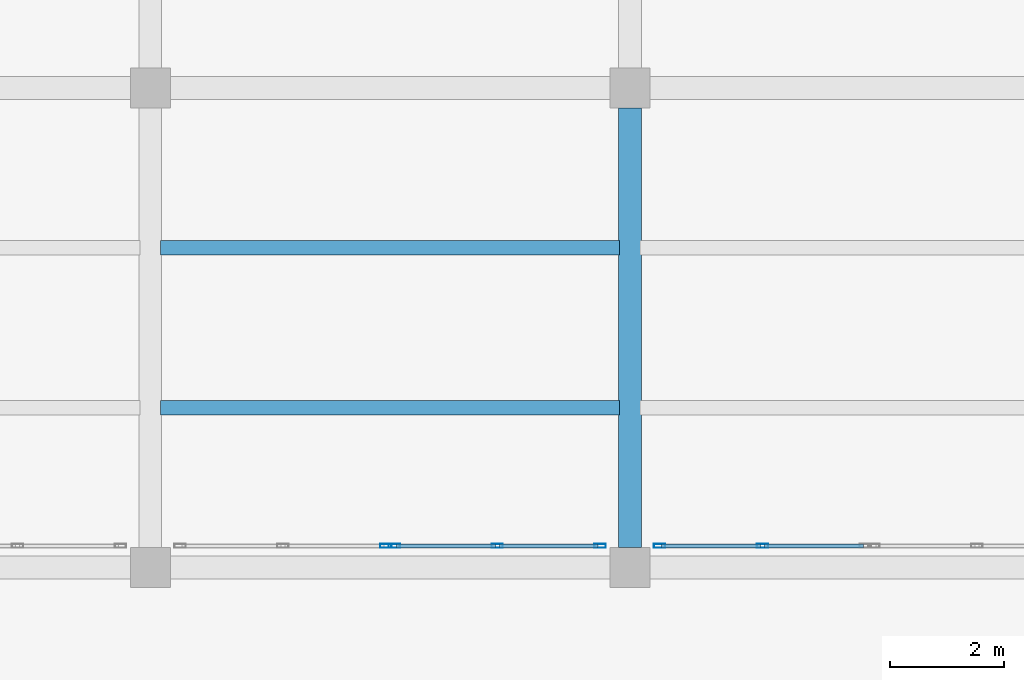
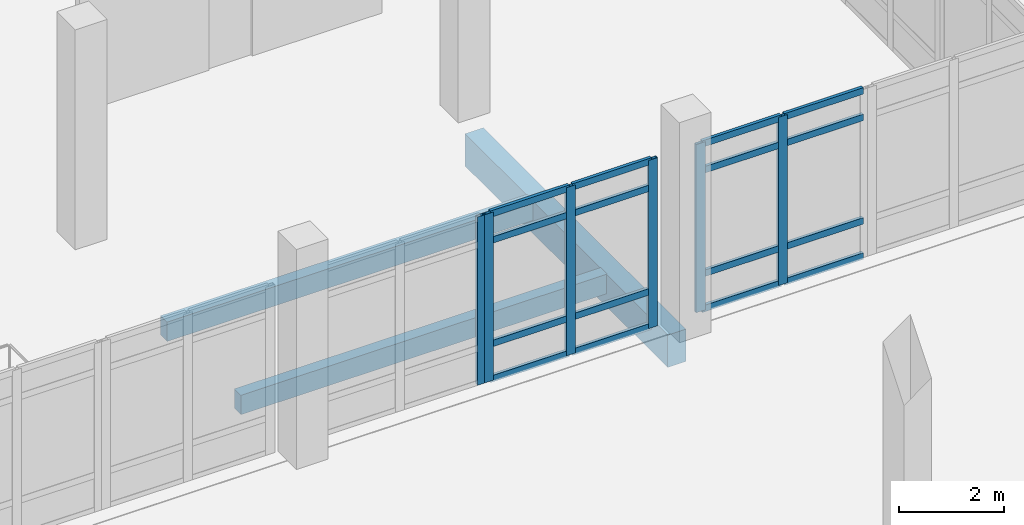
# One storey, part 9 of 64: 22 members, 3 beams, 3 elements without a shape of their own.
"""IFC4 building model written with IfcOpenShell, lengths in metres."""

from ifc_helpers import new_model, si_unit, derived_unit, direction, frame, origin, origin_2d, place, context, subcontext, project, spatial, rectangle, hollow_rectangle, extrude, material, layer, layer_set, material_profile, profile_set, type_object, element, aggregate, save


model = new_model("IFC4")

# Units and contexts
model_context = context("Model", 3, precision=1e-05, world=origin(), true_north=direction((0.0, 1.0)))
body_context = subcontext(model_context, "Body", "Model", "MODEL_VIEW")
ifc_project = project(units=[si_unit("LENGTHUNIT", "METRE"), si_unit("AREAUNIT", "SQUARE_METRE"), si_unit("VOLUMEUNIT", "CUBIC_METRE"), si_unit("PLANEANGLEUNIT", "RADIAN"), si_unit("MASSUNIT", "GRAM", prefix="KILO"), derived_unit("THERMALTRANSMITTANCEUNIT", [(si_unit("POWERUNIT", "WATT"), 1), (si_unit("LENGTHUNIT", "METRE"), -2), (si_unit("THERMODYNAMICTEMPERATUREUNIT", "KELVIN"), -1)])], contexts=[model_context])

# Site, building, storey
site_placement = place(None, origin())
site = spatial("IfcSite", under=ifc_project, at=site_placement, CompositionType="ELEMENT")
building_placement = place(site_placement, origin())
building = spatial("IfcBuilding", under=site, at=building_placement, Name="Elbkamm Science Centre", CompositionType="ELEMENT")
storey_placement = place(building_placement, origin())
storey = spatial("IfcBuildingStorey", under=building, at=storey_placement, Name="L00", CompositionType="ELEMENT", Elevation=0.0)

# Beam
ifc_material_1 = material(Name="Concrete C40/50", Category="concrete")
ifc_material_profile_1 = material_profile(ifc_material_1, rectangle(XDim=0.39990234375, YDim=0.75, at=origin_2d()), Name="RC 400x750")
ifc_profile_set_1 = profile_set([ifc_material_profile_1], Name="Concrete C40/50")
beam_type_1 = type_object("IfcBeamType", Name="BM-RC-400x750", PredefinedType="BEAM", material=ifc_profile_set_1)
beam_placement = place(storey_placement, frame((117.60009765625, 42.35009765625, -0.675048828125), z_axis=(0.0, 1.0, 0.0), x_axis=(-1.0, 0.0, 0.0)))
element("IfcBeam", 1, at=beam_placement, inside=storey, type_object=beam_type_1, Name="L00 Primary Y-Girder 044", PredefinedType="BEAM", context=body_context, shape_type="SweptSolid", body=[
    extrude(rectangle(XDim=0.39990234375, YDim=0.75, at=origin_2d()), origin(), (0.0, 0.0, 1.0), 7.699951171875),
])

# Curtain wall, members
ifc_material_2 = material(Name="Powder-coated aluminium and triple low-E glazing", Category="aluminium")
ifc_layer = layer(ifc_material_2, 0.159912109375)
ifc_layer_set = layer_set([ifc_layer], Name="Powder-coated aluminium and triple low-E glazing")
curtain_wall_type = type_object("IfcCurtainWallType", Name="CW-UNIT-3680x3900", PredefinedType="USERDEFINED", material=ifc_layer_set)
curtain_wall_1_placement = place(storey_placement, origin())
curtain_wall_1 = element("IfcCurtainWall", 2, at=curtain_wall_1_placement, inside=storey, type_object=curtain_wall_type, Name="L00 Unitised Curtain Wall 139", ObjectType="UNITISED CURTAIN WALL", PredefinedType="USERDEFINED")
ifc_material_3 = material(Name="Powder-coated aluminium EN AW-6060", Category="aluminium")
ifc_material_profile_2 = material_profile(ifc_material_3, hollow_rectangle(XDim=0.070068359375, YDim=0.199951171875, WallThickness=0.00439453125, at=origin_2d()), Name="ALU M70x200")
ifc_profile_set_2 = profile_set([ifc_material_profile_2], Name="Powder-coated aluminium EN AW-6060")
member_type_1 = type_object("IfcMemberType", Name="CW-MUL-70x200", PredefinedType="MULLION", material=ifc_profile_set_2)
member_1_placement = place(storey_placement, frame((119.923095703125, 42.3798828125, 0.0), z_axis=(0.0, 0.0, 1.0), x_axis=(0.0, -1.0, 0.0)))
member_1 = element("IfcMember", 3, at=member_1_placement, type_object=member_type_1, Name="CW-066 mullion 2", PredefinedType="MULLION", context=body_context, shape_type="SweptSolid", body=[
    extrude(hollow_rectangle(XDim=0.070068359375, YDim=0.199951171875, WallThickness=0.00439453125, at=origin_2d()), origin(), (0.0, 0.0, 1.0), 3.89990234375),
])
member_2_placement = place(storey_placement, frame((118.121337890625, 42.3798828125, 0.0), z_axis=(0.0, 0.0, 1.0), x_axis=(0.0, -1.0, 0.0)))
member_2 = element("IfcMember", 4, at=member_2_placement, type_object=member_type_1, Name="CW-066 mullion 3", PredefinedType="MULLION", context=body_context, shape_type="SweptSolid", body=[
    extrude(hollow_rectangle(XDim=0.070068359375, YDim=0.199951171875, WallThickness=0.00439453125, at=origin_2d()), origin(), (0.0, 0.0, 1.0), 3.89990234375),
])

curtain_wall_2_placement = place(storey_placement, origin())
curtain_wall_2 = element("IfcCurtainWall", 5, at=curtain_wall_2_placement, inside=storey, type_object=curtain_wall_type, Name="L00 Unitised Curtain Wall 140", ObjectType="UNITISED CURTAIN WALL", PredefinedType="USERDEFINED")
member_3_placement = place(storey_placement, frame((117.07861328125, 42.3798828125, 0.0), z_axis=(0.0, 0.0, 1.0), x_axis=(0.0, -1.0, 0.0)))
member_3 = element("IfcMember", 6, at=member_3_placement, type_object=member_type_1, Name="CW-066 mullion 1", PredefinedType="MULLION", context=body_context, shape_type="SweptSolid", body=[
    extrude(hollow_rectangle(XDim=0.070068359375, YDim=0.199951171875, WallThickness=0.00439453125, at=origin_2d()), origin(), (0.0, 0.0, 1.0), 3.89990234375),
])
member_4_placement = place(storey_placement, frame((115.27685546875, 42.3798828125, 0.0), z_axis=(0.0, 0.0, 1.0), x_axis=(0.0, -1.0, 0.0)))
member_4 = element("IfcMember", 7, at=member_4_placement, type_object=member_type_1, Name="CW-066 mullion 2", PredefinedType="MULLION", context=body_context, shape_type="SweptSolid", body=[
    extrude(hollow_rectangle(XDim=0.070068359375, YDim=0.199951171875, WallThickness=0.00439453125, at=origin_2d()), origin(), (0.0, 0.0, 1.0), 3.89990234375),
])
member_5_placement = place(storey_placement, frame((113.47509765625, 42.3798828125, 0.0), z_axis=(0.0, 0.0, 1.0), x_axis=(0.0, -1.0, 0.0)))
member_5 = element("IfcMember", 8, at=member_5_placement, type_object=member_type_1, Name="CW-066 mullion 3", PredefinedType="MULLION", context=body_context, shape_type="SweptSolid", body=[
    extrude(hollow_rectangle(XDim=0.070068359375, YDim=0.199951171875, WallThickness=0.00439453125, at=origin_2d()), origin(), (0.0, 0.0, 1.0), 3.89990234375),
])

# Curtain wall, member
curtain_wall_3_placement = place(storey_placement, origin())
curtain_wall_3 = element("IfcCurtainWall", 9, at=curtain_wall_3_placement, inside=storey, type_object=curtain_wall_type, Name="L00 Unitised Curtain Wall 141", ObjectType="UNITISED CURTAIN WALL", PredefinedType="USERDEFINED")
member_6_placement = place(storey_placement, frame((113.324951171875, 42.3798828125, 0.0), z_axis=(0.0, 0.0, 1.0), x_axis=(0.0, -1.0, 0.0)))
member_6 = element("IfcMember", 10, at=member_6_placement, type_object=member_type_1, Name="CW-066 mullion 1", PredefinedType="MULLION", context=body_context, shape_type="SweptSolid", body=[
    extrude(hollow_rectangle(XDim=0.070068359375, YDim=0.199951171875, WallThickness=0.00439453125, at=origin_2d()), origin(), (0.0, 0.0, 1.0), 3.89990234375),
])
aggregate(curtain_wall_3, [member_6])

# Member
ifc_material_profile_3 = material_profile(ifc_material_3, hollow_rectangle(XDim=0.070068359375, YDim=0.14990234375, WallThickness=0.00390625, at=origin_2d()), Name="ALU T70x150")
ifc_profile_set_3 = profile_set([ifc_material_profile_3], Name="Powder-coated aluminium EN AW-6060")
member_type_2 = type_object("IfcMemberType", Name="CW-TRN-70x150", PredefinedType="USERDEFINED", material=ifc_profile_set_3)
member_7_placement = place(storey_placement, frame((121.68994140625, 42.3798828125, 0.034912109375), z_axis=(-1.0, 0.0, 0.0), x_axis=(0.0, -1.0, 0.0)))
member_7 = element("IfcMember", 11, at=member_7_placement, type_object=member_type_2, Name="CW-066 transom 1.1", ObjectType="TRANSOM", PredefinedType="USERDEFINED", context=body_context, shape_type="SweptSolid", body=[
    extrude(hollow_rectangle(XDim=0.070068359375, YDim=0.14990234375, WallThickness=0.00390625, at=origin_2d()), origin(), (0.0, 0.0, 1.0), 1.731689453125),
])

member_8_placement = place(storey_placement, frame((121.68994140625, 42.3798828125, 0.85009765625), z_axis=(-1.0, 0.0, 0.0), x_axis=(0.0, -1.0, 0.0)))
member_8 = element("IfcMember", 12, at=member_8_placement, type_object=member_type_2, Name="CW-066 transom 1.2", ObjectType="TRANSOM", PredefinedType="USERDEFINED", context=body_context, shape_type="SweptSolid", body=[
    extrude(hollow_rectangle(XDim=0.070068359375, YDim=0.14990234375, WallThickness=0.00390625, at=origin_2d()), origin(), (0.0, 0.0, 1.0), 1.731689453125),
])

member_9_placement = place(storey_placement, frame((121.68994140625, 42.3798828125, 3.25), z_axis=(-1.0, 0.0, 0.0), x_axis=(0.0, -1.0, 0.0)))
member_9 = element("IfcMember", 13, at=member_9_placement, type_object=member_type_2, Name="CW-066 transom 1.3", ObjectType="TRANSOM", PredefinedType="USERDEFINED", context=body_context, shape_type="SweptSolid", body=[
    extrude(hollow_rectangle(XDim=0.070068359375, YDim=0.14990234375, WallThickness=0.00390625, at=origin_2d()), origin(), (0.0, 0.0, 1.0), 1.731689453125),
])

member_10_placement = place(storey_placement, frame((121.68994140625, 42.3798828125, 3.864990234375), z_axis=(-1.0, 0.0, 0.0), x_axis=(0.0, -1.0, 0.0)))
member_10 = element("IfcMember", 14, at=member_10_placement, type_object=member_type_2, Name="CW-066 transom 1.4", ObjectType="TRANSOM", PredefinedType="USERDEFINED", context=body_context, shape_type="SweptSolid", body=[
    extrude(hollow_rectangle(XDim=0.070068359375, YDim=0.14990234375, WallThickness=0.00390625, at=origin_2d()), origin(), (0.0, 0.0, 1.0), 1.731689453125),
])

member_11_placement = place(storey_placement, frame((119.88818359375, 42.3798828125, 0.034912109375), z_axis=(-1.0, 0.0, 0.0), x_axis=(0.0, -1.0, 0.0)))
member_11 = element("IfcMember", 15, at=member_11_placement, type_object=member_type_2, Name="CW-066 transom 2.1", ObjectType="TRANSOM", PredefinedType="USERDEFINED", context=body_context, shape_type="SweptSolid", body=[
    extrude(hollow_rectangle(XDim=0.070068359375, YDim=0.14990234375, WallThickness=0.00390625, at=origin_2d()), origin(), (0.0, 0.0, 1.0), 1.73193359375),
])

member_12_placement = place(storey_placement, frame((119.88818359375, 42.3798828125, 0.85009765625), z_axis=(-1.0, 0.0, 0.0), x_axis=(0.0, -1.0, 0.0)))
member_12 = element("IfcMember", 16, at=member_12_placement, type_object=member_type_2, Name="CW-066 transom 2.2", ObjectType="TRANSOM", PredefinedType="USERDEFINED", context=body_context, shape_type="SweptSolid", body=[
    extrude(hollow_rectangle(XDim=0.070068359375, YDim=0.14990234375, WallThickness=0.00390625, at=origin_2d()), origin(), (0.0, 0.0, 1.0), 1.73193359375),
])

member_13_placement = place(storey_placement, frame((119.88818359375, 42.3798828125, 3.25), z_axis=(-1.0, 0.0, 0.0), x_axis=(0.0, -1.0, 0.0)))
member_13 = element("IfcMember", 17, at=member_13_placement, type_object=member_type_2, Name="CW-066 transom 2.3", ObjectType="TRANSOM", PredefinedType="USERDEFINED", context=body_context, shape_type="SweptSolid", body=[
    extrude(hollow_rectangle(XDim=0.070068359375, YDim=0.14990234375, WallThickness=0.00390625, at=origin_2d()), origin(), (0.0, 0.0, 1.0), 1.73193359375),
])

member_14_placement = place(storey_placement, frame((119.88818359375, 42.3798828125, 3.864990234375), z_axis=(-1.0, 0.0, 0.0), x_axis=(0.0, -1.0, 0.0)))
member_14 = element("IfcMember", 18, at=member_14_placement, type_object=member_type_2, Name="CW-066 transom 2.4", ObjectType="TRANSOM", PredefinedType="USERDEFINED", context=body_context, shape_type="SweptSolid", body=[
    extrude(hollow_rectangle(XDim=0.070068359375, YDim=0.14990234375, WallThickness=0.00390625, at=origin_2d()), origin(), (0.0, 0.0, 1.0), 1.73193359375),
])

aggregate(curtain_wall_1, [member_1, member_2, member_7, member_8, member_9, member_10, member_11, member_12, member_13, member_14])

member_15_placement = place(storey_placement, frame((117.043701171875, 42.3798828125, 0.034912109375), z_axis=(-1.0, 0.0, 0.0), x_axis=(0.0, -1.0, 0.0)))
member_15 = element("IfcMember", 19, at=member_15_placement, type_object=member_type_2, Name="CW-066 transom 1.1", ObjectType="TRANSOM", PredefinedType="USERDEFINED", context=body_context, shape_type="SweptSolid", body=[
    extrude(hollow_rectangle(XDim=0.070068359375, YDim=0.14990234375, WallThickness=0.00390625, at=origin_2d()), origin(), (0.0, 0.0, 1.0), 1.73193359375),
])

member_16_placement = place(storey_placement, frame((117.043701171875, 42.3798828125, 0.85009765625), z_axis=(-1.0, 0.0, 0.0), x_axis=(0.0, -1.0, 0.0)))
member_16 = element("IfcMember", 20, at=member_16_placement, type_object=member_type_2, Name="CW-066 transom 1.2", ObjectType="TRANSOM", PredefinedType="USERDEFINED", context=body_context, shape_type="SweptSolid", body=[
    extrude(hollow_rectangle(XDim=0.070068359375, YDim=0.14990234375, WallThickness=0.00390625, at=origin_2d()), origin(), (0.0, 0.0, 1.0), 1.73193359375),
])

member_17_placement = place(storey_placement, frame((117.043701171875, 42.3798828125, 3.25), z_axis=(-1.0, 0.0, 0.0), x_axis=(0.0, -1.0, 0.0)))
member_17 = element("IfcMember", 21, at=member_17_placement, type_object=member_type_2, Name="CW-066 transom 1.3", ObjectType="TRANSOM", PredefinedType="USERDEFINED", context=body_context, shape_type="SweptSolid", body=[
    extrude(hollow_rectangle(XDim=0.070068359375, YDim=0.14990234375, WallThickness=0.00390625, at=origin_2d()), origin(), (0.0, 0.0, 1.0), 1.73193359375),
])

member_18_placement = place(storey_placement, frame((117.043701171875, 42.3798828125, 3.864990234375), z_axis=(-1.0, 0.0, 0.0), x_axis=(0.0, -1.0, 0.0)))
member_18 = element("IfcMember", 22, at=member_18_placement, type_object=member_type_2, Name="CW-066 transom 1.4", ObjectType="TRANSOM", PredefinedType="USERDEFINED", context=body_context, shape_type="SweptSolid", body=[
    extrude(hollow_rectangle(XDim=0.070068359375, YDim=0.14990234375, WallThickness=0.00390625, at=origin_2d()), origin(), (0.0, 0.0, 1.0), 1.73193359375),
])

member_19_placement = place(storey_placement, frame((115.241943359375, 42.3798828125, 0.034912109375), z_axis=(-1.0, 0.0, 0.0), x_axis=(0.0, -1.0, 0.0)))
member_19 = element("IfcMember", 23, at=member_19_placement, type_object=member_type_2, Name="CW-066 transom 2.1", ObjectType="TRANSOM", PredefinedType="USERDEFINED", context=body_context, shape_type="SweptSolid", body=[
    extrude(hollow_rectangle(XDim=0.070068359375, YDim=0.14990234375, WallThickness=0.00390625, at=origin_2d()), origin(), (0.0, 0.0, 1.0), 1.73193359375),
])

member_20_placement = place(storey_placement, frame((115.241943359375, 42.3798828125, 0.85009765625), z_axis=(-1.0, 0.0, 0.0), x_axis=(0.0, -1.0, 0.0)))
member_20 = element("IfcMember", 24, at=member_20_placement, type_object=member_type_2, Name="CW-066 transom 2.2", ObjectType="TRANSOM", PredefinedType="USERDEFINED", context=body_context, shape_type="SweptSolid", body=[
    extrude(hollow_rectangle(XDim=0.070068359375, YDim=0.14990234375, WallThickness=0.00390625, at=origin_2d()), origin(), (0.0, 0.0, 1.0), 1.73193359375),
])

member_21_placement = place(storey_placement, frame((115.241943359375, 42.3798828125, 3.25), z_axis=(-1.0, 0.0, 0.0), x_axis=(0.0, -1.0, 0.0)))
member_21 = element("IfcMember", 25, at=member_21_placement, type_object=member_type_2, Name="CW-066 transom 2.3", ObjectType="TRANSOM", PredefinedType="USERDEFINED", context=body_context, shape_type="SweptSolid", body=[
    extrude(hollow_rectangle(XDim=0.070068359375, YDim=0.14990234375, WallThickness=0.00390625, at=origin_2d()), origin(), (0.0, 0.0, 1.0), 1.73193359375),
])

member_22_placement = place(storey_placement, frame((115.241943359375, 42.3798828125, 3.864990234375), z_axis=(-1.0, 0.0, 0.0), x_axis=(0.0, -1.0, 0.0)))
member_22 = element("IfcMember", 26, at=member_22_placement, type_object=member_type_2, Name="CW-066 transom 2.4", ObjectType="TRANSOM", PredefinedType="USERDEFINED", context=body_context, shape_type="SweptSolid", body=[
    extrude(hollow_rectangle(XDim=0.070068359375, YDim=0.14990234375, WallThickness=0.00390625, at=origin_2d()), origin(), (0.0, 0.0, 1.0), 1.73193359375),
])

aggregate(curtain_wall_2, [member_3, member_4, member_5, member_15, member_16, member_17, member_18, member_19, member_20, member_21, member_22])

# Beams
ifc_material_profile_4 = material_profile(ifc_material_1, rectangle(XDim=0.25, YDim=0.449951171875, at=origin_2d()), Name="RC 250x450")
ifc_profile_set_4 = profile_set([ifc_material_profile_4], Name="Concrete C40/50")
beam_type_2 = type_object("IfcBeamType", Name="JST-RC-250x450", PredefinedType="JOIST", material=ifc_profile_set_4)
for number, where, z_axis, x_axis, name in (
    (27, (109.3798828125, 44.800048828125, -0.52490234375), (1.0, 0.0, 0.0), (0.0, 1.0, 0.0), "L00 Secondary Floor Joist 029"),
    (28, (109.3798828125, 47.60009765625, -0.52490234375), (1.0, 0.0, 0.0), (0.0, 1.0, 0.0), "L00 Secondary Floor Joist 030"),
):
    element("IfcBeam", number, at=place(storey_placement, frame(where, z_axis=z_axis, x_axis=x_axis)), inside=storey, type_object=beam_type_2, Name=name, PredefinedType="JOIST", context=body_context, shape_type="SweptSolid", body=[
        extrude(rectangle(XDim=0.25, YDim=0.449951171875, at=origin_2d()), origin(), (0.0, 0.0, 1.0), 8.0400390625),
    ])

save(model, "model.ifc")
